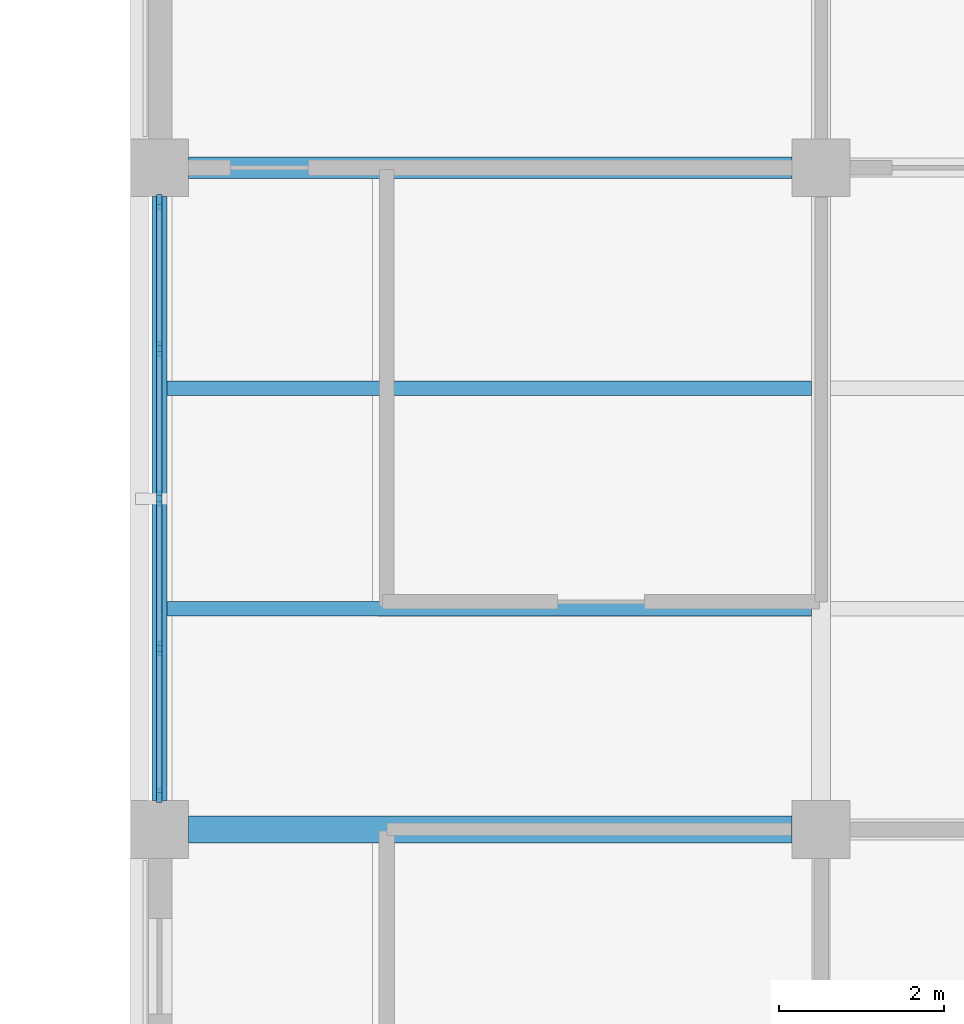
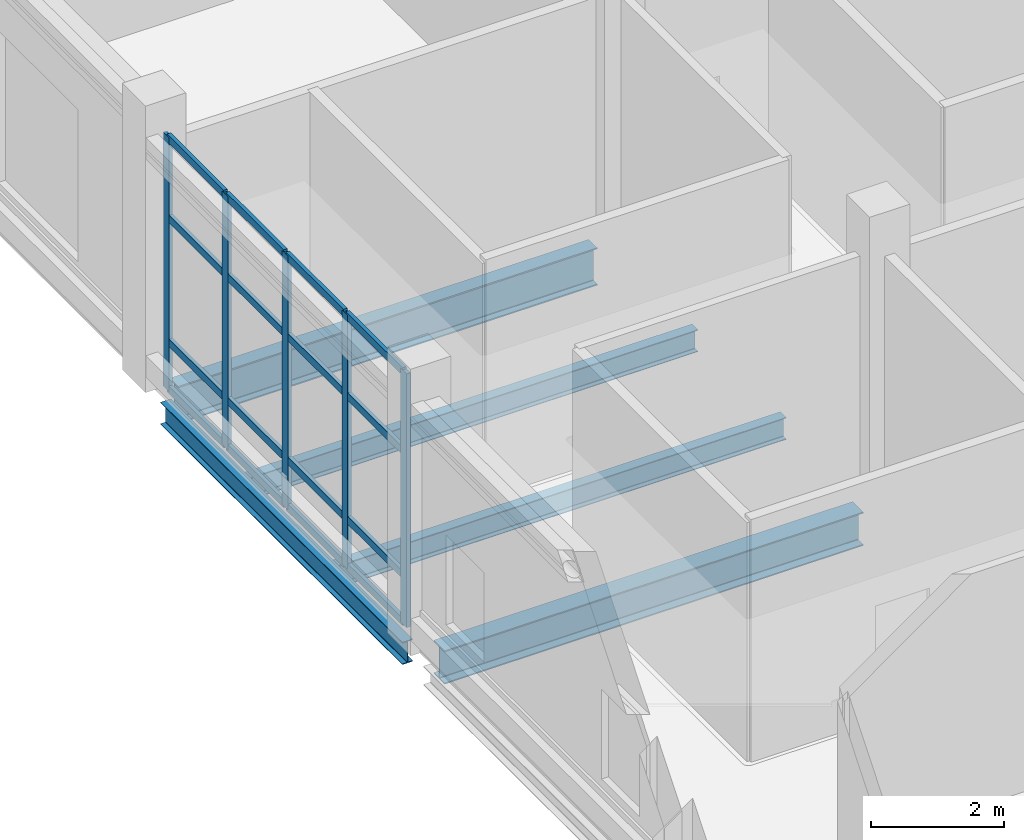
# One storey, part 26 of 105: 21 members, 5 beams, 1 element without a shape of its own.
"""IFC4 building model written with IfcOpenShell, lengths in metres."""

from ifc_helpers import new_model, si_unit, derived_unit, direction, frame, origin, origin_2d, place, context, subcontext, project, spatial, rectangle, i_section, extrude, material, layer, layer_set, material_profile, profile_set, type_object, element, aggregate, save


model = new_model("IFC4")

# Units and contexts
model_context = context("Model", 3, precision=1e-05, world=origin(), true_north=direction((0.0, 1.0)))
body_context = subcontext(model_context, "Body", "Model", "MODEL_VIEW")
ifc_project = project(units=[si_unit("LENGTHUNIT", "METRE"), si_unit("AREAUNIT", "SQUARE_METRE"), si_unit("VOLUMEUNIT", "CUBIC_METRE"), si_unit("PLANEANGLEUNIT", "RADIAN"), si_unit("MASSUNIT", "GRAM", prefix="KILO"), derived_unit("THERMALTRANSMITTANCEUNIT", [(si_unit("MASSUNIT", "GRAM", prefix="KILO"), 1), (si_unit("TIMEUNIT", "SECOND"), -3), (si_unit("THERMODYNAMICTEMPERATUREUNIT", "KELVIN"), -1)])], contexts=[model_context])

# Site, building, storey
site_placement = place(None, origin())
site = spatial("IfcSite", under=ifc_project, at=site_placement, CompositionType="ELEMENT")
building_placement = place(site_placement, origin())
building = spatial("IfcBuilding", under=site, at=building_placement, Name="Veyamyaing Civic Hall", CompositionType="ELEMENT")
storey_placement = place(building_placement, origin())
storey = spatial("IfcBuildingStorey", under=building, at=storey_placement, Name="L00", CompositionType="ELEMENT", Elevation=0.0)

# Beams
ifc_material_1 = material(Name="Steel ASTM A992", Category="steel")
ifc_material_profile_1 = material_profile(ifc_material_1, i_section(OverallWidth=0.256103515625, OverallDepth=0.693115234375, WebThickness=0.014404296875, FlangeThickness=0.023681640625, FilletRadius=0.013916015625, at=origin_2d()), Name="W690X170")
ifc_profile_set_1 = profile_set([ifc_material_profile_1], Name="Steel ASTM A992")
beam_type_1 = type_object("IfcBeamType", Name="B-04", PredefinedType="BEAM", material=ifc_profile_set_1)
beam_1_placement = place(storey_placement, frame((56.35009765625, 72.0, -0.611572265625), z_axis=(1.0, 0.0, 0.0), x_axis=(0.0, 1.0, 0.0)))
element("IfcBeam", 1, at=beam_1_placement, inside=storey, type_object=beam_type_1, Name="Girder B-04 L00 Grid K 8-9", PredefinedType="BEAM", context=body_context, shape_type="SweptSolid", body=[
    extrude(i_section(OverallWidth=0.256103515625, OverallDepth=0.693115234375, WebThickness=0.014404296875, FlangeThickness=0.023681640625, FilletRadius=0.013916015625, at=origin_2d()), origin(), (0.0, 0.0, 1.0), 7.2998046875),
])
ifc_material_profile_2 = material_profile(ifc_material_1, i_section(OverallWidth=0.179931640625, OverallDepth=0.4130859375, WebThickness=0.009765625, FlangeThickness=0.01611328125, FilletRadius=0.010009765625, at=origin_2d()), Name="W410X74")
ifc_profile_set_2 = profile_set([ifc_material_profile_2], Name="Steel ASTM A992")
beam_type_2 = type_object("IfcBeamType", Name="B-10", PredefinedType="SPANDREL", material=ifc_profile_set_2)
beam_2_placement = place(storey_placement, frame((56.0, 64.35009765625, -0.471435546875), z_axis=(0.0, 1.0, 0.0), x_axis=(-1.0, 0.0, 0.0)))
element("IfcBeam", 2, at=beam_2_placement, inside=storey, type_object=beam_type_2, Name="Girder B-10 L00 Grid 8 J-K", PredefinedType="SPANDREL", context=body_context, shape_type="SweptSolid", body=[
    extrude(i_section(OverallWidth=0.179931640625, OverallDepth=0.4130859375, WebThickness=0.009765625, FlangeThickness=0.01611328125, FilletRadius=0.010009765625, at=origin_2d()), origin(), (0.0, 0.0, 1.0), 7.2998046875),
])
ifc_material_profile_3 = material_profile(ifc_material_1, i_section(OverallWidth=0.324951171875, OverallDepth=0.615966796875, WebThickness=0.013916015625, FlangeThickness=0.021484375, FilletRadius=0.013916015625, at=origin_2d()), Name="W610X174")
ifc_profile_set_3 = profile_set([ifc_material_profile_3], Name="Steel ASTM A992")
beam_type_3 = type_object("IfcBeamType", Name="B-15", PredefinedType="BEAM", material=ifc_profile_set_3)
beam_3_placement = place(storey_placement, frame((56.35009765625, 64.0, -0.572998046875), z_axis=(1.0, 0.0, 0.0), x_axis=(0.0, 1.0, 0.0)))
element("IfcBeam", 3, at=beam_3_placement, inside=storey, type_object=beam_type_3, Name="Girder B-15 L00 Grid J 8-9", PredefinedType="BEAM", context=body_context, shape_type="SweptSolid", body=[
    extrude(i_section(OverallWidth=0.324951171875, OverallDepth=0.615966796875, WebThickness=0.013916015625, FlangeThickness=0.021484375, FilletRadius=0.013916015625, at=origin_2d()), origin(), (0.0, 0.0, 1.0), 7.2998046875),
])

# Curtain wall, members
ifc_material_2 = material(Name="Anodised aluminium 6063-T6", Category="aluminium")
ifc_layer = layer(ifc_material_2, 0.179931640625, Name="Anodised aluminium 6063-T6")
ifc_layer_set = layer_set([ifc_layer], Name="Anodised aluminium 6063-T6")
curtain_wall_type = type_object("IfcCurtainWallType", Name="CW-06", PredefinedType="NOTDEFINED", material=ifc_layer_set)
curtain_wall_placement = place(storey_placement, origin())
curtain_wall = element("IfcCurtainWall", 4, at=curtain_wall_placement, inside=storey, type_object=curtain_wall_type, Name="Unitized curtain wall CW-06 L00 W 8.9", PredefinedType="NOTDEFINED")
ifc_material_profile_4 = material_profile(ifc_material_2, rectangle(XDim=0.06494140625, YDim=0.179931640625, at=origin_2d()), Name="ALU-MUL-65X180")
ifc_profile_set_4 = profile_set([ifc_material_profile_4], Name="Anodised aluminium 6063-T6")
member_type_1 = type_object("IfcMemberType", Name="CWM-02", PredefinedType="MULLION", material=ifc_profile_set_4)
member_1_placement = place(storey_placement, frame((56.0, 64.41259765625, 0.0), z_axis=(0.0, 0.0, 1.0), x_axis=(-1.0, 0.0, 0.0)))
member_1 = element("IfcMember", 5, at=member_1_placement, type_object=member_type_1, Name="CW-06 mullion 1", PredefinedType="MULLION", context=body_context, shape_type="SweptSolid", body=[
    extrude(rectangle(XDim=0.06494140625, YDim=0.179931640625, at=origin_2d()), origin(), (0.0, 0.0, 1.0), 4.677001953125),
])
member_2_placement = place(storey_placement, frame((56.0, 66.18994140625, 0.0), z_axis=(0.0, 0.0, 1.0), x_axis=(-1.0, 0.0, 0.0)))
member_2 = element("IfcMember", 6, at=member_2_placement, type_object=member_type_1, Name="CW-06 mullion 2", PredefinedType="MULLION", context=body_context, shape_type="SweptSolid", body=[
    extrude(rectangle(XDim=0.06494140625, YDim=0.179931640625, at=origin_2d()), origin(), (0.0, 0.0, 1.0), 4.677001953125),
])
member_3_placement = place(storey_placement, frame((56.0, 68.0, 0.0), z_axis=(0.0, 0.0, 1.0), x_axis=(-1.0, 0.0, 0.0)))
member_3 = element("IfcMember", 7, at=member_3_placement, type_object=member_type_1, Name="CW-06 mullion 3", PredefinedType="MULLION", context=body_context, shape_type="SweptSolid", body=[
    extrude(rectangle(XDim=0.06494140625, YDim=0.179931640625, at=origin_2d()), origin(), (0.0, 0.0, 1.0), 4.677001953125),
])
member_4_placement = place(storey_placement, frame((56.0, 69.81005859375, 0.0), z_axis=(0.0, 0.0, 1.0), x_axis=(-1.0, 0.0, 0.0)))
member_4 = element("IfcMember", 8, at=member_4_placement, type_object=member_type_1, Name="CW-06 mullion 4", PredefinedType="MULLION", context=body_context, shape_type="SweptSolid", body=[
    extrude(rectangle(XDim=0.06494140625, YDim=0.179931640625, at=origin_2d()), origin(), (0.0, 0.0, 1.0), 4.677001953125),
])
member_5_placement = place(storey_placement, frame((56.0, 71.58740234375, 0.0), z_axis=(0.0, 0.0, 1.0), x_axis=(-1.0, 0.0, 0.0)))
member_5 = element("IfcMember", 9, at=member_5_placement, type_object=member_type_1, Name="CW-06 mullion 5", PredefinedType="MULLION", context=body_context, shape_type="SweptSolid", body=[
    extrude(rectangle(XDim=0.06494140625, YDim=0.179931640625, at=origin_2d()), origin(), (0.0, 0.0, 1.0), 4.677001953125),
])
ifc_material_profile_5 = material_profile(ifc_material_2, rectangle(XDim=0.06494140625, YDim=0.139892578125, at=origin_2d()), Name="ALU-TRN-65X140")
ifc_profile_set_5 = profile_set([ifc_material_profile_5], Name="Anodised aluminium 6063-T6")
member_type_2 = type_object("IfcMemberType", Name="CWT-02", PredefinedType="USERDEFINED", material=ifc_profile_set_5)
member_6_placement = place(storey_placement, frame((56.0, 64.445068359375, 0.032470703125), z_axis=(0.0, 1.0, 0.0), x_axis=(-1.0, 0.0, 0.0)))
member_6 = element("IfcMember", 10, at=member_6_placement, type_object=member_type_2, Name="CW-06 transom 1.1", ObjectType="TRANSOM", PredefinedType="USERDEFINED", context=body_context, shape_type="SweptSolid", body=[
    extrude(rectangle(XDim=0.06494140625, YDim=0.139892578125, at=origin_2d()), origin(), (0.0, 0.0, 1.0), 1.71240234375),
])
member_7_placement = place(storey_placement, frame((56.0, 64.445068359375, 0.89990234375), z_axis=(0.0, 1.0, 0.0), x_axis=(-1.0, 0.0, 0.0)))
member_7 = element("IfcMember", 11, at=member_7_placement, type_object=member_type_2, Name="CW-06 transom 1.2", ObjectType="TRANSOM", PredefinedType="USERDEFINED", context=body_context, shape_type="SweptSolid", body=[
    extrude(rectangle(XDim=0.06494140625, YDim=0.139892578125, at=origin_2d()), origin(), (0.0, 0.0, 1.0), 1.71240234375),
])
member_8_placement = place(storey_placement, frame((56.0, 64.445068359375, 3.180419921875), z_axis=(0.0, 1.0, 0.0), x_axis=(-1.0, 0.0, 0.0)))
member_8 = element("IfcMember", 12, at=member_8_placement, type_object=member_type_2, Name="CW-06 transom 1.3", ObjectType="TRANSOM", PredefinedType="USERDEFINED", context=body_context, shape_type="SweptSolid", body=[
    extrude(rectangle(XDim=0.06494140625, YDim=0.139892578125, at=origin_2d()), origin(), (0.0, 0.0, 1.0), 1.71240234375),
])
member_9_placement = place(storey_placement, frame((56.0, 64.445068359375, 4.64453125), z_axis=(0.0, 1.0, 0.0), x_axis=(-1.0, 0.0, 0.0)))
member_9 = element("IfcMember", 13, at=member_9_placement, type_object=member_type_2, Name="CW-06 transom 1.4", ObjectType="TRANSOM", PredefinedType="USERDEFINED", context=body_context, shape_type="SweptSolid", body=[
    extrude(rectangle(XDim=0.06494140625, YDim=0.139892578125, at=origin_2d()), origin(), (0.0, 0.0, 1.0), 1.71240234375),
])
member_10_placement = place(storey_placement, frame((56.0, 66.222412109375, 0.032470703125), z_axis=(0.0, 1.0, 0.0), x_axis=(-1.0, 0.0, 0.0)))
member_10 = element("IfcMember", 14, at=member_10_placement, type_object=member_type_2, Name="CW-06 transom 2.1", ObjectType="TRANSOM", PredefinedType="USERDEFINED", context=body_context, shape_type="SweptSolid", body=[
    extrude(rectangle(XDim=0.06494140625, YDim=0.139892578125, at=origin_2d()), origin(), (0.0, 0.0, 1.0), 1.7451171875),
])
member_11_placement = place(storey_placement, frame((56.0, 66.222412109375, 0.89990234375), z_axis=(0.0, 1.0, 0.0), x_axis=(-1.0, 0.0, 0.0)))
member_11 = element("IfcMember", 15, at=member_11_placement, type_object=member_type_2, Name="CW-06 transom 2.2", ObjectType="TRANSOM", PredefinedType="USERDEFINED", context=body_context, shape_type="SweptSolid", body=[
    extrude(rectangle(XDim=0.06494140625, YDim=0.139892578125, at=origin_2d()), origin(), (0.0, 0.0, 1.0), 1.7451171875),
])
member_12_placement = place(storey_placement, frame((56.0, 66.222412109375, 3.180419921875), z_axis=(0.0, 1.0, 0.0), x_axis=(-1.0, 0.0, 0.0)))
member_12 = element("IfcMember", 16, at=member_12_placement, type_object=member_type_2, Name="CW-06 transom 2.3", ObjectType="TRANSOM", PredefinedType="USERDEFINED", context=body_context, shape_type="SweptSolid", body=[
    extrude(rectangle(XDim=0.06494140625, YDim=0.139892578125, at=origin_2d()), origin(), (0.0, 0.0, 1.0), 1.7451171875),
])
member_13_placement = place(storey_placement, frame((56.0, 66.222412109375, 4.64453125), z_axis=(0.0, 1.0, 0.0), x_axis=(-1.0, 0.0, 0.0)))
member_13 = element("IfcMember", 17, at=member_13_placement, type_object=member_type_2, Name="CW-06 transom 2.4", ObjectType="TRANSOM", PredefinedType="USERDEFINED", context=body_context, shape_type="SweptSolid", body=[
    extrude(rectangle(XDim=0.06494140625, YDim=0.139892578125, at=origin_2d()), origin(), (0.0, 0.0, 1.0), 1.7451171875),
])
member_14_placement = place(storey_placement, frame((56.0, 68.032470703125, 0.032470703125), z_axis=(0.0, 1.0, 0.0), x_axis=(-1.0, 0.0, 0.0)))
member_14 = element("IfcMember", 18, at=member_14_placement, type_object=member_type_2, Name="CW-06 transom 3.1", ObjectType="TRANSOM", PredefinedType="USERDEFINED", context=body_context, shape_type="SweptSolid", body=[
    extrude(rectangle(XDim=0.06494140625, YDim=0.139892578125, at=origin_2d()), origin(), (0.0, 0.0, 1.0), 1.7451171875),
])
member_15_placement = place(storey_placement, frame((56.0, 68.032470703125, 0.89990234375), z_axis=(0.0, 1.0, 0.0), x_axis=(-1.0, 0.0, 0.0)))
member_15 = element("IfcMember", 19, at=member_15_placement, type_object=member_type_2, Name="CW-06 transom 3.2", ObjectType="TRANSOM", PredefinedType="USERDEFINED", context=body_context, shape_type="SweptSolid", body=[
    extrude(rectangle(XDim=0.06494140625, YDim=0.139892578125, at=origin_2d()), origin(), (0.0, 0.0, 1.0), 1.7451171875),
])
member_16_placement = place(storey_placement, frame((56.0, 68.032470703125, 3.180419921875), z_axis=(0.0, 1.0, 0.0), x_axis=(-1.0, 0.0, 0.0)))
member_16 = element("IfcMember", 20, at=member_16_placement, type_object=member_type_2, Name="CW-06 transom 3.3", ObjectType="TRANSOM", PredefinedType="USERDEFINED", context=body_context, shape_type="SweptSolid", body=[
    extrude(rectangle(XDim=0.06494140625, YDim=0.139892578125, at=origin_2d()), origin(), (0.0, 0.0, 1.0), 1.7451171875),
])
member_17_placement = place(storey_placement, frame((56.0, 68.032470703125, 4.64453125), z_axis=(0.0, 1.0, 0.0), x_axis=(-1.0, 0.0, 0.0)))
member_17 = element("IfcMember", 21, at=member_17_placement, type_object=member_type_2, Name="CW-06 transom 3.4", ObjectType="TRANSOM", PredefinedType="USERDEFINED", context=body_context, shape_type="SweptSolid", body=[
    extrude(rectangle(XDim=0.06494140625, YDim=0.139892578125, at=origin_2d()), origin(), (0.0, 0.0, 1.0), 1.7451171875),
])
member_18_placement = place(storey_placement, frame((56.0, 69.842529296875, 0.032470703125), z_axis=(0.0, 1.0, 0.0), x_axis=(-1.0, 0.0, 0.0)))
member_18 = element("IfcMember", 22, at=member_18_placement, type_object=member_type_2, Name="CW-06 transom 4.1", ObjectType="TRANSOM", PredefinedType="USERDEFINED", context=body_context, shape_type="SweptSolid", body=[
    extrude(rectangle(XDim=0.06494140625, YDim=0.139892578125, at=origin_2d()), origin(), (0.0, 0.0, 1.0), 1.71240234375),
])
member_19_placement = place(storey_placement, frame((56.0, 69.842529296875, 0.89990234375), z_axis=(0.0, 1.0, 0.0), x_axis=(-1.0, 0.0, 0.0)))
member_19 = element("IfcMember", 23, at=member_19_placement, type_object=member_type_2, Name="CW-06 transom 4.2", ObjectType="TRANSOM", PredefinedType="USERDEFINED", context=body_context, shape_type="SweptSolid", body=[
    extrude(rectangle(XDim=0.06494140625, YDim=0.139892578125, at=origin_2d()), origin(), (0.0, 0.0, 1.0), 1.71240234375),
])
member_20_placement = place(storey_placement, frame((56.0, 69.842529296875, 3.180419921875), z_axis=(0.0, 1.0, 0.0), x_axis=(-1.0, 0.0, 0.0)))
member_20 = element("IfcMember", 24, at=member_20_placement, type_object=member_type_2, Name="CW-06 transom 4.3", ObjectType="TRANSOM", PredefinedType="USERDEFINED", context=body_context, shape_type="SweptSolid", body=[
    extrude(rectangle(XDim=0.06494140625, YDim=0.139892578125, at=origin_2d()), origin(), (0.0, 0.0, 1.0), 1.71240234375),
])
member_21_placement = place(storey_placement, frame((56.0, 69.842529296875, 4.64453125), z_axis=(0.0, 1.0, 0.0), x_axis=(-1.0, 0.0, 0.0)))
member_21 = element("IfcMember", 25, at=member_21_placement, type_object=member_type_2, Name="CW-06 transom 4.4", ObjectType="TRANSOM", PredefinedType="USERDEFINED", context=body_context, shape_type="SweptSolid", body=[
    extrude(rectangle(XDim=0.06494140625, YDim=0.139892578125, at=origin_2d()), origin(), (0.0, 0.0, 1.0), 1.71240234375),
])
aggregate(curtain_wall, [member_1, member_2, member_3, member_4, member_5, member_6, member_7, member_8, member_9, member_10, member_11, member_12, member_13, member_14, member_15, member_16, member_17, member_18, member_19, member_20, member_21])

# Beams
ifc_material_profile_6 = material_profile(ifc_material_1, i_section(OverallWidth=0.177978515625, OverallDepth=0.406982421875, WebThickness=0.0078125, FlangeThickness=0.0126953125, FilletRadius=0.010009765625, at=origin_2d()), Name="W410X60")
ifc_profile_set_6 = profile_set([ifc_material_profile_6], Name="Steel ASTM A992")
beam_type_4 = type_object("IfcBeamType", Name="J-01", PredefinedType="JOIST", material=ifc_profile_set_6)
for number, where, z_axis, x_axis, name in (
    (26, (56.087890625, 66.666748046875, -0.468505859375), (1.0, 0.0, 0.0), (0.0, 1.0, 0.0), "Composite floor joist J-01 L00 8.9.1"),
    (27, (56.087890625, 69.333251953125, -0.468505859375), (1.0, 0.0, 0.0), (0.0, 1.0, 0.0), "Composite floor joist J-01 L00 8.9.2"),
):
    element("IfcBeam", number, at=place(storey_placement, frame(where, z_axis=z_axis, x_axis=x_axis)), inside=storey, type_object=beam_type_4, Name=name, PredefinedType="JOIST", context=body_context, shape_type="SweptSolid", body=[
        extrude(i_section(OverallWidth=0.177978515625, OverallDepth=0.406982421875, WebThickness=0.0078125, FlangeThickness=0.0126953125, FilletRadius=0.010009765625, at=origin_2d()), origin(), (0.0, 0.0, 1.0), 7.799072265625),
    ])

save(model, "model.ifc")
